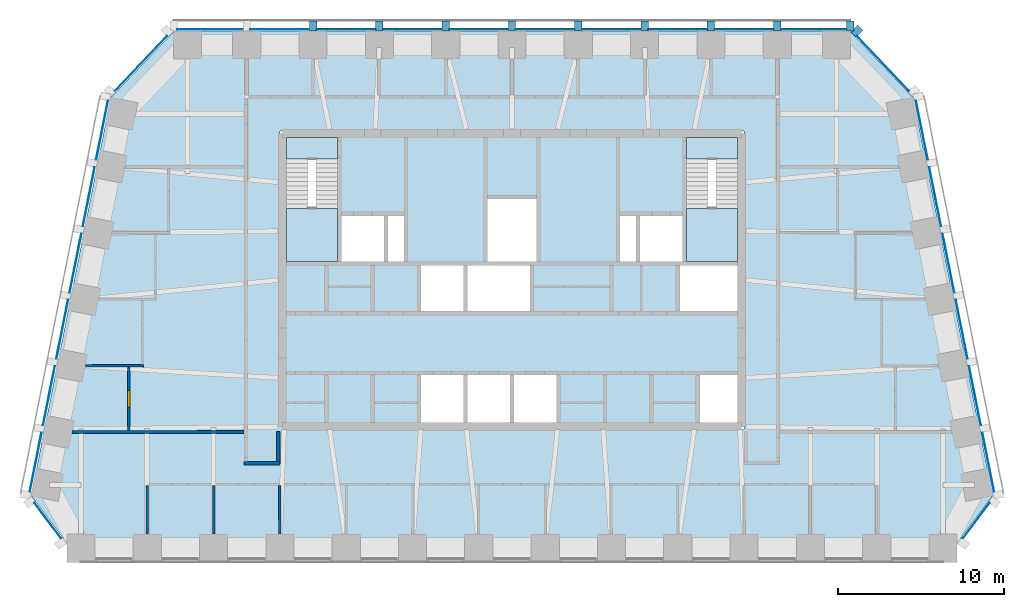
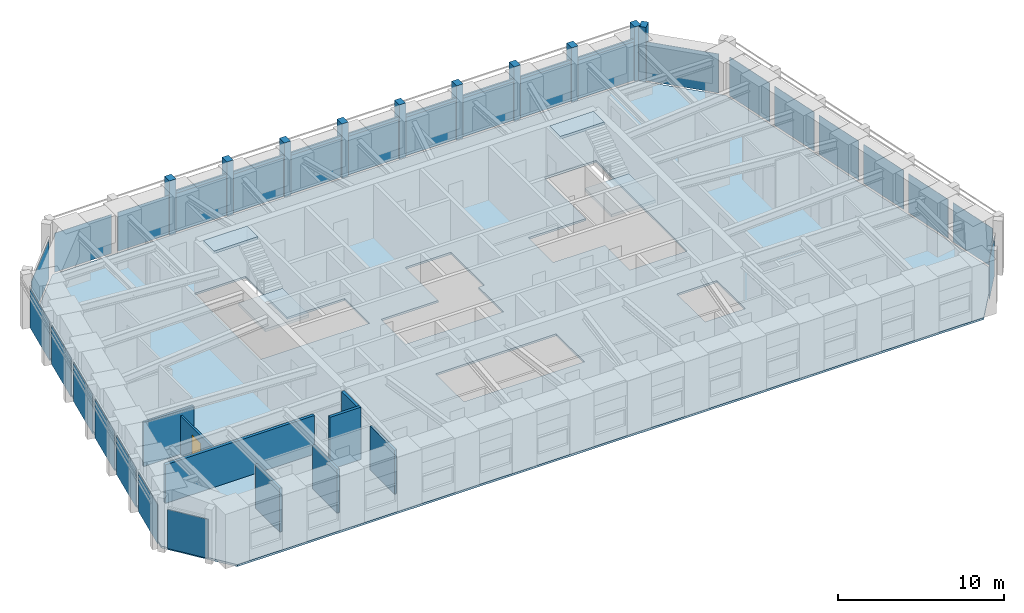
# One storey, part 3 of 10: 26 plates, 18 members, 8 walls, 5 slabs, 1 door, 1 opening, 9 elements without a shape of their own.
"""IFC4 building model written with IfcOpenShell, lengths in metres."""

from ifc_helpers import new_model, si_unit, direction, frame, frame_2d, origin, origin_2d, place, context, subcontext, project, spatial, polyline, rectangle, outline, extrude, material, layer, layer_set, material_profile, profile_set, type_object, element, fill, aggregate, save


model = new_model("IFC4")

# Units and contexts
model_context = context("Model", 3, precision=1e-05, world=origin(), true_north=direction((0.0, 1.0)))
body_context = subcontext(model_context, "Body", "Model", "MODEL_VIEW")
ifc_project = project(units=[si_unit("LENGTHUNIT", "METRE"), si_unit("AREAUNIT", "SQUARE_METRE"), si_unit("VOLUMEUNIT", "CUBIC_METRE"), si_unit("PLANEANGLEUNIT", "RADIAN"), si_unit("MASSUNIT", "GRAM", prefix="KILO")], contexts=[model_context])

# Site, building, storey
site_placement = place(None, origin())
site = spatial("IfcSite", under=ifc_project, at=site_placement, CompositionType="ELEMENT")
building_placement = place(site_placement, origin())
building = spatial("IfcBuilding", under=site, at=building_placement, Name="Isbrekke Arena Tower", CompositionType="ELEMENT")
storey_placement = place(building_placement, frame((0.0, 0.0, 300.0)))
storey = spatial("IfcBuildingStorey", under=building, at=storey_placement, Name="L70", CompositionType="ELEMENT", Elevation=300.0)

# Curtain wall, member
ifc_material_1 = material(Name="Glazed aluminium curtain wall", Category="aluminium")
curtain_wall_type = type_object("IfcCurtainWallType", Name="CWT TOWER CURTAIN WALL TOP ZONE", PredefinedType="USERDEFINED", material=ifc_material_1)
curtain_wall_1_placement = place(storey_placement, origin())
curtain_wall_1 = element("IfcCurtainWall", 1, at=curtain_wall_1_placement, inside=storey, type_object=curtain_wall_type, Name="CWT curtain wall L70-EN", ObjectType="TOWER CURTAIN WALL TOP ZONE", PredefinedType="USERDEFINED")
ifc_material_2 = material(Name="Copper-clad aluminium mullion", Category="aluminium")
ifc_material_profile_1 = material_profile(ifc_material_2, rectangle(XDim=0.449951171875, YDim=0.60009765625, at=origin_2d()), Name="PIER 450X600")
ifc_profile_set_1 = profile_set([ifc_material_profile_1], Name="Copper-clad aluminium mullion")
member_type_1 = type_object("IfcMemberType", Name="CWT-M PIER MULLION 450 x 600", PredefinedType="MULLION", material=ifc_profile_set_1)
member_1_placement = place(storey_placement, frame((20.795166015625, 30.019775390625, 0.0), z_axis=(0.0, 0.0, 1.0), x_axis=(-0.68874946192, 0.72499943359, 0.0)))
member_1 = element("IfcMember", 2, at=member_1_placement, type_object=member_type_1, Name="CWT-M mullion 2", PredefinedType="MULLION", context=body_context, shape_type="SweptSolid", body=[
    extrude(rectangle(XDim=0.449951171875, YDim=0.60009765625, at=origin_2d()), origin(), (0.0, 0.0, 1.0), 4.0),
])

# Curtain wall, members
curtain_wall_2_placement = place(storey_placement, origin())
curtain_wall_2 = element("IfcCurtainWall", 3, at=curtain_wall_2_placement, inside=storey, type_object=curtain_wall_type, Name="CWT curtain wall L70-N", ObjectType="TOWER CURTAIN WALL TOP ZONE", PredefinedType="USERDEFINED")
member_2_placement = place(storey_placement, frame((20.39990234375, 30.324951171875, 0.0), z_axis=(0.0, 0.0, 1.0), x_axis=(-1.0, 0.0, 0.0)))
member_2 = element("IfcMember", 4, at=member_2_placement, type_object=member_type_1, Name="CWT-M mullion 1", PredefinedType="MULLION", context=body_context, shape_type="SweptSolid", body=[
    extrude(rectangle(XDim=0.449951171875, YDim=0.60009765625, at=origin_2d()), origin(), (0.0, 0.0, 1.0), 4.0),
])
member_3_placement = place(storey_placement, frame((16.0, 30.324951171875, 0.0), z_axis=(0.0, 0.0, 1.0), x_axis=(-1.0, 0.0, 0.0)))
member_3 = element("IfcMember", 5, at=member_3_placement, type_object=member_type_1, Name="CWT-M mullion 2", PredefinedType="MULLION", context=body_context, shape_type="SweptSolid", body=[
    extrude(rectangle(XDim=0.449951171875, YDim=0.60009765625, at=origin_2d()), origin(), (0.0, 0.0, 1.0), 4.0),
])
member_4_placement = place(storey_placement, frame((12.0, 30.324951171875, 0.0), z_axis=(0.0, 0.0, 1.0), x_axis=(-1.0, 0.0, 0.0)))
member_4 = element("IfcMember", 6, at=member_4_placement, type_object=member_type_1, Name="CWT-M mullion 3", PredefinedType="MULLION", context=body_context, shape_type="SweptSolid", body=[
    extrude(rectangle(XDim=0.449951171875, YDim=0.60009765625, at=origin_2d()), origin(), (0.0, 0.0, 1.0), 4.0),
])
member_5_placement = place(storey_placement, frame((8.0, 30.324951171875, 0.0), z_axis=(0.0, 0.0, 1.0), x_axis=(-1.0, 0.0, 0.0)))
member_5 = element("IfcMember", 7, at=member_5_placement, type_object=member_type_1, Name="CWT-M mullion 4", PredefinedType="MULLION", context=body_context, shape_type="SweptSolid", body=[
    extrude(rectangle(XDim=0.449951171875, YDim=0.60009765625, at=origin_2d()), origin(), (0.0, 0.0, 1.0), 4.0),
])
member_6_placement = place(storey_placement, frame((4.0, 30.324951171875, 0.0), z_axis=(0.0, 0.0, 1.0), x_axis=(-1.0, 0.0, 0.0)))
member_6 = element("IfcMember", 8, at=member_6_placement, type_object=member_type_1, Name="CWT-M mullion 5", PredefinedType="MULLION", context=body_context, shape_type="SweptSolid", body=[
    extrude(rectangle(XDim=0.449951171875, YDim=0.60009765625, at=origin_2d()), origin(), (0.0, 0.0, 1.0), 4.0),
])
member_7_placement = place(storey_placement, frame((0.0, 30.324951171875, 0.0), z_axis=(0.0, 0.0, 1.0), x_axis=(-1.0, 0.0, 0.0)))
member_7 = element("IfcMember", 9, at=member_7_placement, type_object=member_type_1, Name="CWT-M mullion 6", PredefinedType="MULLION", context=body_context, shape_type="SweptSolid", body=[
    extrude(rectangle(XDim=0.449951171875, YDim=0.60009765625, at=origin_2d()), origin(), (0.0, 0.0, 1.0), 4.0),
])
member_8_placement = place(storey_placement, frame((-4.0, 30.324951171875, 0.0), z_axis=(0.0, 0.0, 1.0), x_axis=(-1.0, 0.0, 0.0)))
member_8 = element("IfcMember", 10, at=member_8_placement, type_object=member_type_1, Name="CWT-M mullion 7", PredefinedType="MULLION", context=body_context, shape_type="SweptSolid", body=[
    extrude(rectangle(XDim=0.449951171875, YDim=0.60009765625, at=origin_2d()), origin(), (0.0, 0.0, 1.0), 4.0),
])
member_9_placement = place(storey_placement, frame((-8.0, 30.324951171875, 0.0), z_axis=(0.0, 0.0, 1.0), x_axis=(-1.0, 0.0, 0.0)))
member_9 = element("IfcMember", 11, at=member_9_placement, type_object=member_type_1, Name="CWT-M mullion 8", PredefinedType="MULLION", context=body_context, shape_type="SweptSolid", body=[
    extrude(rectangle(XDim=0.449951171875, YDim=0.60009765625, at=origin_2d()), origin(), (0.0, 0.0, 1.0), 4.0),
])
member_10_placement = place(storey_placement, frame((-12.0, 30.324951171875, 0.0), z_axis=(0.0, 0.0, 1.0), x_axis=(-1.0, 0.0, 0.0)))
member_10 = element("IfcMember", 12, at=member_10_placement, type_object=member_type_1, Name="CWT-M mullion 9", PredefinedType="MULLION", context=body_context, shape_type="SweptSolid", body=[
    extrude(rectangle(XDim=0.449951171875, YDim=0.60009765625, at=origin_2d()), origin(), (0.0, 0.0, 1.0), 4.0),
])
ifc_material_3 = material(Name="Aluminium transom", Category="aluminium")
ifc_material_profile_2 = material_profile(ifc_material_3, rectangle(XDim=0.1201171875, YDim=0.199951171875, at=origin_2d()), Name="TRANSOM 120X200")
ifc_profile_set_2 = profile_set([ifc_material_profile_2], Name="Aluminium transom")
member_type_2 = type_object("IfcMemberType", Name="CWT-T TRANSOM 120 x 200", PredefinedType="USERDEFINED", material=ifc_profile_set_2)
member_11_placement = place(storey_placement, frame((20.175048828125, 30.125, 3.0), z_axis=(-1.0, 0.0, 0.0), x_axis=(0.0, -1.0, 0.0)))
member_11 = element("IfcMember", 13, at=member_11_placement, type_object=member_type_2, Name="CWT-T transom 1", ObjectType="TRANSOM", PredefinedType="USERDEFINED", context=body_context, shape_type="SweptSolid", body=[
    extrude(rectangle(XDim=0.1201171875, YDim=0.199951171875, at=origin_2d()), origin(), (0.0, 0.0, 1.0), 3.949951171875),
])
member_12_placement = place(storey_placement, frame((15.77490234375, 30.125, 3.0), z_axis=(-1.0, 0.0, 0.0), x_axis=(0.0, -1.0, 0.0)))
member_12 = element("IfcMember", 14, at=member_12_placement, type_object=member_type_2, Name="CWT-T transom 2", ObjectType="TRANSOM", PredefinedType="USERDEFINED", context=body_context, shape_type="SweptSolid", body=[
    extrude(rectangle(XDim=0.1201171875, YDim=0.199951171875, at=origin_2d()), origin(), (0.0, 0.0, 1.0), 3.5498046875),
])
member_13_placement = place(storey_placement, frame((11.77490234375, 30.125, 3.0), z_axis=(-1.0, 0.0, 0.0), x_axis=(0.0, -1.0, 0.0)))
member_13 = element("IfcMember", 15, at=member_13_placement, type_object=member_type_2, Name="CWT-T transom 3", ObjectType="TRANSOM", PredefinedType="USERDEFINED", context=body_context, shape_type="SweptSolid", body=[
    extrude(rectangle(XDim=0.1201171875, YDim=0.199951171875, at=origin_2d()), origin(), (0.0, 0.0, 1.0), 3.5498046875),
])
member_14_placement = place(storey_placement, frame((7.77490234375, 30.125, 3.0), z_axis=(-1.0, 0.0, 0.0), x_axis=(0.0, -1.0, 0.0)))
member_14 = element("IfcMember", 16, at=member_14_placement, type_object=member_type_2, Name="CWT-T transom 4", ObjectType="TRANSOM", PredefinedType="USERDEFINED", context=body_context, shape_type="SweptSolid", body=[
    extrude(rectangle(XDim=0.1201171875, YDim=0.199951171875, at=origin_2d()), origin(), (0.0, 0.0, 1.0), 3.5498046875),
])
member_15_placement = place(storey_placement, frame((3.77490234375, 30.125, 3.0), z_axis=(-1.0, 0.0, 0.0), x_axis=(0.0, -1.0, 0.0)))
member_15 = element("IfcMember", 17, at=member_15_placement, type_object=member_type_2, Name="CWT-T transom 5", ObjectType="TRANSOM", PredefinedType="USERDEFINED", context=body_context, shape_type="SweptSolid", body=[
    extrude(rectangle(XDim=0.1201171875, YDim=0.199951171875, at=origin_2d()), origin(), (0.0, 0.0, 1.0), 3.5498046875),
])
member_16_placement = place(storey_placement, frame((-0.22509765625, 30.125, 3.0), z_axis=(-1.0, 0.0, 0.0), x_axis=(0.0, -1.0, 0.0)))
member_16 = element("IfcMember", 18, at=member_16_placement, type_object=member_type_2, Name="CWT-T transom 6", ObjectType="TRANSOM", PredefinedType="USERDEFINED", context=body_context, shape_type="SweptSolid", body=[
    extrude(rectangle(XDim=0.1201171875, YDim=0.199951171875, at=origin_2d()), origin(), (0.0, 0.0, 1.0), 3.5498046875),
])
member_17_placement = place(storey_placement, frame((-4.22509765625, 30.125, 3.0), z_axis=(-1.0, 0.0, 0.0), x_axis=(0.0, -1.0, 0.0)))
member_17 = element("IfcMember", 19, at=member_17_placement, type_object=member_type_2, Name="CWT-T transom 7", ObjectType="TRANSOM", PredefinedType="USERDEFINED", context=body_context, shape_type="SweptSolid", body=[
    extrude(rectangle(XDim=0.1201171875, YDim=0.199951171875, at=origin_2d()), origin(), (0.0, 0.0, 1.0), 3.5498046875),
])
member_18_placement = place(storey_placement, frame((-8.22509765625, 30.125, 3.0), z_axis=(-1.0, 0.0, 0.0), x_axis=(0.0, -1.0, 0.0)))
member_18 = element("IfcMember", 20, at=member_18_placement, type_object=member_type_2, Name="CWT-T transom 8", ObjectType="TRANSOM", PredefinedType="USERDEFINED", context=body_context, shape_type="SweptSolid", body=[
    extrude(rectangle(XDim=0.1201171875, YDim=0.199951171875, at=origin_2d()), origin(), (0.0, 0.0, 1.0), 3.5498046875),
])

# Curtain wall, plate
curtain_wall_3_placement = place(storey_placement, origin())
curtain_wall_3 = element("IfcCurtainWall", 21, at=curtain_wall_3_placement, inside=storey, type_object=curtain_wall_type, Name="CWT curtain wall L70-SE", ObjectType="TOWER CURTAIN WALL TOP ZONE", PredefinedType="USERDEFINED")
ifc_material_4 = material(Name="Triple-glazed clear glass unit", Category="glass")
ifc_layer_1 = layer(ifc_material_4, 0.031982421875)
ifc_layer_set_1 = layer_set([ifc_layer_1], Name="CWT-P VISION PANEL")
plate_type = type_object("IfcPlateType", Name="CWT-P VISION PANEL", PredefinedType="CURTAIN_PANEL", material=ifc_layer_set_1)
plate_1_placement = place(storey_placement, frame((27.993896484375, 0.49169921875, 0.02001953125), z_axis=(0.0, 0.0, 1.0), x_axis=(0.600000000002, 0.799999999998, 0.0)))
plate_1 = element("IfcPlate", 22, at=plate_1_placement, type_object=plate_type, Name="CWT-P panel 1", PredefinedType="CURTAIN_PANEL", context=body_context, shape_type="SweptSolid", body=[
    extrude(rectangle(XDim=2.65283203125, YDim=0.031982421875, at=origin_2d()), origin(), (0.0, 0.0, 1.0), 2.8798828125),
])
aggregate(curtain_wall_3, [plate_1])

# Curtain wall, plates
curtain_wall_4_placement = place(storey_placement, origin())
curtain_wall_4 = element("IfcCurtainWall", 23, at=curtain_wall_4_placement, inside=storey, type_object=curtain_wall_type, Name="CWT curtain wall L70-E", ObjectType="TOWER CURTAIN WALL TOP ZONE", PredefinedType="USERDEFINED")
plate_2_placement = place(storey_placement, frame((28.72265625, 4.0244140625, 0.02001953125), z_axis=(0.0, 0.0, 1.0), x_axis=(-0.196116135138, 0.980580675691, 0.0)))
plate_2 = element("IfcPlate", 24, at=plate_2_placement, type_object=plate_type, Name="CWT-P panel 1", PredefinedType="CURTAIN_PANEL", context=body_context, shape_type="SweptSolid", body=[
    extrude(rectangle(XDim=3.629150390625, YDim=0.031982421875, at=origin_2d()), origin(), (0.0, 0.0, 1.0), 2.8798828125),
])
plate_3_placement = place(storey_placement, frame((27.922607421875, 8.0244140625, 0.02001953125), z_axis=(0.0, 0.0, 1.0), x_axis=(-0.196116135138, 0.980580675691, 0.0)))
plate_3 = element("IfcPlate", 25, at=plate_3_placement, type_object=plate_type, Name="CWT-P panel 2", PredefinedType="CURTAIN_PANEL", context=body_context, shape_type="SweptSolid", body=[
    extrude(rectangle(XDim=3.629150390625, YDim=0.031982421875, at=origin_2d()), origin(), (0.0, 0.0, 1.0), 2.8798828125),
])
plate_4_placement = place(storey_placement, frame((27.12255859375, 12.0244140625, 0.02001953125), z_axis=(0.0, 0.0, 1.0), x_axis=(-0.196116135138, 0.980580675691, 0.0)))
plate_4 = element("IfcPlate", 26, at=plate_4_placement, type_object=plate_type, Name="CWT-P panel 3", PredefinedType="CURTAIN_PANEL", context=body_context, shape_type="SweptSolid", body=[
    extrude(rectangle(XDim=3.629150390625, YDim=0.031982421875, at=origin_2d()), origin(), (0.0, 0.0, 1.0), 2.8798828125),
])
plate_5_placement = place(storey_placement, frame((26.322509765625, 16.0244140625, 0.02001953125), z_axis=(0.0, 0.0, 1.0), x_axis=(-0.196116135138, 0.980580675691, 0.0)))
plate_5 = element("IfcPlate", 27, at=plate_5_placement, type_object=plate_type, Name="CWT-P panel 4", PredefinedType="CURTAIN_PANEL", context=body_context, shape_type="SweptSolid", body=[
    extrude(rectangle(XDim=3.629150390625, YDim=0.031982421875, at=origin_2d()), origin(), (0.0, 0.0, 1.0), 2.8798828125),
])
plate_6_placement = place(storey_placement, frame((25.5224609375, 20.0244140625, 0.02001953125), z_axis=(0.0, 0.0, 1.0), x_axis=(-0.196116135138, 0.980580675691, 0.0)))
plate_6 = element("IfcPlate", 28, at=plate_6_placement, type_object=plate_type, Name="CWT-P panel 5", PredefinedType="CURTAIN_PANEL", context=body_context, shape_type="SweptSolid", body=[
    extrude(rectangle(XDim=3.629150390625, YDim=0.031982421875, at=origin_2d()), origin(), (0.0, 0.0, 1.0), 2.8798828125),
])
plate_7_placement = place(storey_placement, frame((24.72265625, 24.0244140625, 0.02001953125), z_axis=(0.0, 0.0, 1.0), x_axis=(-0.196116135138, 0.980580675691, 0.0)))
plate_7 = element("IfcPlate", 29, at=plate_7_placement, type_object=plate_type, Name="CWT-P panel 6", PredefinedType="CURTAIN_PANEL", context=body_context, shape_type="SweptSolid", body=[
    extrude(rectangle(XDim=3.629150390625, YDim=0.031982421875, at=origin_2d()), origin(), (0.0, 0.0, 1.0), 2.8798828125),
])
aggregate(curtain_wall_4, [plate_2, plate_3, plate_4, plate_5, plate_6, plate_7])

# Plate
plate_8_placement = place(storey_placement, frame((22.374755859375, 28.06640625, 0.02001953125), z_axis=(0.0, 0.0, 1.0), x_axis=(-0.68874946192, 0.72499943359, 0.0)))
plate_8 = element("IfcPlate", 30, at=plate_8_placement, type_object=plate_type, Name="CWT-P panel 1", PredefinedType="CURTAIN_PANEL", context=body_context, shape_type="SweptSolid", body=[
    extrude(rectangle(XDim=4.558349609375, YDim=0.031982421875, at=origin_2d()), origin(), (0.0, 0.0, 1.0), 2.8798828125),
])

aggregate(curtain_wall_1, [member_1, plate_8])

plate_9_placement = place(storey_placement, frame((18.199951171875, 30.125, 0.02001953125), z_axis=(0.0, 0.0, 1.0), x_axis=(-1.0, 0.0, 0.0)))
plate_9 = element("IfcPlate", 31, at=plate_9_placement, type_object=plate_type, Name="CWT-P panel 1", PredefinedType="CURTAIN_PANEL", context=body_context, shape_type="SweptSolid", body=[
    extrude(rectangle(XDim=3.949951171875, YDim=0.031982421875, at=origin_2d()), origin(), (0.0, 0.0, 1.0), 2.8798828125),
])

plate_10_placement = place(storey_placement, frame((14.0, 30.125, 0.02001953125), z_axis=(0.0, 0.0, 1.0), x_axis=(-1.0, 0.0, 0.0)))
plate_10 = element("IfcPlate", 32, at=plate_10_placement, type_object=plate_type, Name="CWT-P panel 2", PredefinedType="CURTAIN_PANEL", context=body_context, shape_type="SweptSolid", body=[
    extrude(rectangle(XDim=3.550048828125, YDim=0.031982421875, at=origin_2d()), origin(), (0.0, 0.0, 1.0), 2.8798828125),
])

plate_11_placement = place(storey_placement, frame((10.0, 30.125, 0.02001953125), z_axis=(0.0, 0.0, 1.0), x_axis=(-1.0, 0.0, 0.0)))
plate_11 = element("IfcPlate", 33, at=plate_11_placement, type_object=plate_type, Name="CWT-P panel 3", PredefinedType="CURTAIN_PANEL", context=body_context, shape_type="SweptSolid", body=[
    extrude(rectangle(XDim=3.550048828125, YDim=0.031982421875, at=origin_2d()), origin(), (0.0, 0.0, 1.0), 2.8798828125),
])

plate_12_placement = place(storey_placement, frame((6.0, 30.125, 0.02001953125), z_axis=(0.0, 0.0, 1.0), x_axis=(-1.0, 0.0, 0.0)))
plate_12 = element("IfcPlate", 34, at=plate_12_placement, type_object=plate_type, Name="CWT-P panel 4", PredefinedType="CURTAIN_PANEL", context=body_context, shape_type="SweptSolid", body=[
    extrude(rectangle(XDim=3.550048828125, YDim=0.031982421875, at=origin_2d()), origin(), (0.0, 0.0, 1.0), 2.8798828125),
])

plate_13_placement = place(storey_placement, frame((2.0, 30.125, 0.02001953125), z_axis=(0.0, 0.0, 1.0), x_axis=(-1.0, 0.0, 0.0)))
plate_13 = element("IfcPlate", 35, at=plate_13_placement, type_object=plate_type, Name="CWT-P panel 5", PredefinedType="CURTAIN_PANEL", context=body_context, shape_type="SweptSolid", body=[
    extrude(rectangle(XDim=3.550048828125, YDim=0.031982421875, at=origin_2d()), origin(), (0.0, 0.0, 1.0), 2.8798828125),
])

plate_14_placement = place(storey_placement, frame((-2.0, 30.125, 0.02001953125), z_axis=(0.0, 0.0, 1.0), x_axis=(-1.0, 0.0, 0.0)))
plate_14 = element("IfcPlate", 36, at=plate_14_placement, type_object=plate_type, Name="CWT-P panel 6", PredefinedType="CURTAIN_PANEL", context=body_context, shape_type="SweptSolid", body=[
    extrude(rectangle(XDim=3.550048828125, YDim=0.031982421875, at=origin_2d()), origin(), (0.0, 0.0, 1.0), 2.8798828125),
])

plate_15_placement = place(storey_placement, frame((-6.0, 30.125, 0.02001953125), z_axis=(0.0, 0.0, 1.0), x_axis=(-1.0, 0.0, 0.0)))
plate_15 = element("IfcPlate", 37, at=plate_15_placement, type_object=plate_type, Name="CWT-P panel 7", PredefinedType="CURTAIN_PANEL", context=body_context, shape_type="SweptSolid", body=[
    extrude(rectangle(XDim=3.550048828125, YDim=0.031982421875, at=origin_2d()), origin(), (0.0, 0.0, 1.0), 2.8798828125),
])

plate_16_placement = place(storey_placement, frame((-10.0, 30.125, 0.02001953125), z_axis=(0.0, 0.0, 1.0), x_axis=(-1.0, 0.0, 0.0)))
plate_16 = element("IfcPlate", 38, at=plate_16_placement, type_object=plate_type, Name="CWT-P panel 8", PredefinedType="CURTAIN_PANEL", context=body_context, shape_type="SweptSolid", body=[
    extrude(rectangle(XDim=3.550048828125, YDim=0.031982421875, at=origin_2d()), origin(), (0.0, 0.0, 1.0), 2.8798828125),
])

plate_17_placement = place(storey_placement, frame((-14.0, 30.125, 0.02001953125), z_axis=(0.0, 0.0, 1.0), x_axis=(-1.0, 0.0, 0.0)))
plate_17 = element("IfcPlate", 39, at=plate_17_placement, type_object=plate_type, Name="CWT-P panel 9", PredefinedType="CURTAIN_PANEL", context=body_context, shape_type="SweptSolid", body=[
    extrude(rectangle(XDim=3.550048828125, YDim=0.031982421875, at=origin_2d()), origin(), (0.0, 0.0, 1.0), 2.8798828125),
])

plate_18_placement = place(storey_placement, frame((-18.199951171875, 30.125, 0.02001953125), z_axis=(0.0, 0.0, 1.0), x_axis=(-1.0, 0.0, 0.0)))
plate_18 = element("IfcPlate", 40, at=plate_18_placement, type_object=plate_type, Name="CWT-P panel 10", PredefinedType="CURTAIN_PANEL", context=body_context, shape_type="SweptSolid", body=[
    extrude(rectangle(XDim=3.949951171875, YDim=0.031982421875, at=origin_2d()), origin(), (0.0, 0.0, 1.0), 2.8798828125),
])

aggregate(curtain_wall_2, [member_2, member_3, member_4, member_5, member_6, member_7, member_8, member_9, member_10, member_11, plate_9, member_12, plate_10, member_13, plate_11, member_14, plate_12, member_15, plate_13, member_16, plate_14, member_17, plate_15, member_18, plate_16, plate_17, plate_18])

# Curtain wall, plate
curtain_wall_5_placement = place(storey_placement, origin())
curtain_wall_5 = element("IfcCurtainWall", 41, at=curtain_wall_5_placement, inside=storey, type_object=curtain_wall_type, Name="CWT curtain wall L70-NW", ObjectType="TOWER CURTAIN WALL TOP ZONE", PredefinedType="USERDEFINED")
plate_19_placement = place(storey_placement, frame((-22.37451171875, 28.066650390625, 0.02001953125), z_axis=(0.0, 0.0, 1.0), x_axis=(-0.68874946192, -0.72499943359, 0.0)))
plate_19 = element("IfcPlate", 42, at=plate_19_placement, type_object=plate_type, Name="CWT-P panel 1", PredefinedType="CURTAIN_PANEL", context=body_context, shape_type="SweptSolid", body=[
    extrude(rectangle(XDim=4.557373046875, YDim=0.031982421875, at=origin_2d()), origin(), (0.0, 0.0, 1.0), 2.8798828125),
])
aggregate(curtain_wall_5, [plate_19])

# Curtain wall, plates
curtain_wall_6_placement = place(storey_placement, origin())
curtain_wall_6 = element("IfcCurtainWall", 43, at=curtain_wall_6_placement, inside=storey, type_object=curtain_wall_type, Name="CWT curtain wall L70-W", ObjectType="TOWER CURTAIN WALL TOP ZONE", PredefinedType="USERDEFINED")
plate_20_placement = place(storey_placement, frame((-24.72265625, 24.0244140625, 0.02001953125), z_axis=(0.0, 0.0, 1.0), x_axis=(-0.196116135138, -0.980580675691, 0.0)))
plate_20 = element("IfcPlate", 44, at=plate_20_placement, type_object=plate_type, Name="CWT-P panel 1", PredefinedType="CURTAIN_PANEL", context=body_context, shape_type="SweptSolid", body=[
    extrude(rectangle(XDim=3.629150390625, YDim=0.031982421875, at=origin_2d()), origin(), (0.0, 0.0, 1.0), 2.8798828125),
])
plate_21_placement = place(storey_placement, frame((-25.5224609375, 20.0244140625, 0.02001953125), z_axis=(0.0, 0.0, 1.0), x_axis=(-0.196116135138, -0.980580675691, 0.0)))
plate_21 = element("IfcPlate", 45, at=plate_21_placement, type_object=plate_type, Name="CWT-P panel 2", PredefinedType="CURTAIN_PANEL", context=body_context, shape_type="SweptSolid", body=[
    extrude(rectangle(XDim=3.629150390625, YDim=0.031982421875, at=origin_2d()), origin(), (0.0, 0.0, 1.0), 2.8798828125),
])
plate_22_placement = place(storey_placement, frame((-26.322509765625, 16.0244140625, 0.02001953125), z_axis=(0.0, 0.0, 1.0), x_axis=(-0.196116135138, -0.980580675691, 0.0)))
plate_22 = element("IfcPlate", 46, at=plate_22_placement, type_object=plate_type, Name="CWT-P panel 3", PredefinedType="CURTAIN_PANEL", context=body_context, shape_type="SweptSolid", body=[
    extrude(rectangle(XDim=3.629150390625, YDim=0.031982421875, at=origin_2d()), origin(), (0.0, 0.0, 1.0), 2.8798828125),
])
plate_23_placement = place(storey_placement, frame((-27.12255859375, 12.0244140625, 0.02001953125), z_axis=(0.0, 0.0, 1.0), x_axis=(-0.196116135138, -0.980580675691, 0.0)))
plate_23 = element("IfcPlate", 47, at=plate_23_placement, type_object=plate_type, Name="CWT-P panel 4", PredefinedType="CURTAIN_PANEL", context=body_context, shape_type="SweptSolid", body=[
    extrude(rectangle(XDim=3.629150390625, YDim=0.031982421875, at=origin_2d()), origin(), (0.0, 0.0, 1.0), 2.8798828125),
])
plate_24_placement = place(storey_placement, frame((-27.922607421875, 8.0244140625, 0.02001953125), z_axis=(0.0, 0.0, 1.0), x_axis=(-0.196116135138, -0.980580675691, 0.0)))
plate_24 = element("IfcPlate", 48, at=plate_24_placement, type_object=plate_type, Name="CWT-P panel 5", PredefinedType="CURTAIN_PANEL", context=body_context, shape_type="SweptSolid", body=[
    extrude(rectangle(XDim=3.629150390625, YDim=0.031982421875, at=origin_2d()), origin(), (0.0, 0.0, 1.0), 2.8798828125),
])
plate_25_placement = place(storey_placement, frame((-28.72265625, 4.0244140625, 0.02001953125), z_axis=(0.0, 0.0, 1.0), x_axis=(-0.196116135138, -0.980580675691, 0.0)))
plate_25 = element("IfcPlate", 49, at=plate_25_placement, type_object=plate_type, Name="CWT-P panel 6", PredefinedType="CURTAIN_PANEL", context=body_context, shape_type="SweptSolid", body=[
    extrude(rectangle(XDim=3.629150390625, YDim=0.031982421875, at=origin_2d()), origin(), (0.0, 0.0, 1.0), 2.8798828125),
])
aggregate(curtain_wall_6, [plate_20, plate_21, plate_22, plate_23, plate_24, plate_25])

# Curtain wall, plate
curtain_wall_7_placement = place(storey_placement, origin())
curtain_wall_7 = element("IfcCurtainWall", 50, at=curtain_wall_7_placement, inside=storey, type_object=curtain_wall_type, Name="CWT curtain wall L70-WS", ObjectType="TOWER CURTAIN WALL TOP ZONE", PredefinedType="USERDEFINED")
plate_26_placement = place(storey_placement, frame((-27.993408203125, 0.4912109375, 0.02001953125), z_axis=(0.0, 0.0, 1.0), x_axis=(0.600000000002, -0.799999999998, 0.0)))
plate_26 = element("IfcPlate", 51, at=plate_26_placement, type_object=plate_type, Name="CWT-P panel 1", PredefinedType="CURTAIN_PANEL", context=body_context, shape_type="SweptSolid", body=[
    extrude(rectangle(XDim=2.653564453125, YDim=0.031982421875, at=origin_2d()), origin(), (0.0, 0.0, 1.0), 2.8798828125),
])
aggregate(curtain_wall_7, [plate_26])

# Slab
ifc_material_5 = material(Name="Concrete B35 (C35/45)", Category="concrete")
ifc_layer_2 = layer(ifc_material_5, 0.14990234375)
ifc_layer_set_2 = layer_set([ifc_layer_2], Name="FS1 COMPOSITE FLOOR 150")
slab_type_1 = type_object("IfcSlabType", Name="FS1 COMPOSITE FLOOR 150", PredefinedType="FLOOR", material=ifc_layer_set_2)
slab_1_placement = place(storey_placement, frame((0.0, 0.0, -0.14990234375)))
element("IfcSlab", 52, at=slab_1_placement, inside=storey, type_object=slab_type_1, Name="FS1 floor slab L70", PredefinedType="FLOOR", context=body_context, shape_type="SweptSolid", body=[
    extrude(outline(polyline([(-26.0, -2.0), (26.0, -2.0), (29.0, 2.0), (24.199951171875, 26.0), (20.39990234375, 30.0), (-20.39990234375, 30.0), (-24.199951171875, 26.0), (-29.0, 2.0), (-26.0, -2.0)]), holes=[polyline([(2.800048828125, 9.39990234375), (2.800048828125, 6.0), (-5.60009765625, 6.0), (-5.60009765625, 9.39990234375), (2.800048828125, 9.39990234375)]), polyline([(11.199951171875, 6.0), (11.199951171875, 9.39990234375), (14.0, 9.39990234375), (14.0, 6.0), (11.199951171875, 6.0)]), polyline([(-5.60009765625, 13.0), (-5.60009765625, 16.0), (-1.60009765625, 16.0), (-1.60009765625, 20.0), (1.60009765625, 20.0), (1.60009765625, 16.0), (1.199951171875, 16.0), (1.199951171875, 13.0), (-5.60009765625, 13.0)]), polyline([(14.0, 13.0), (10.0, 13.0), (10.0, 16.0), (6.39990234375, 16.0), (6.39990234375, 19.0), (10.39990234375, 19.0), (10.39990234375, 24.0), (14.0, 24.0), (14.0, 13.0)]), polyline([(-6.39990234375, 19.0), (-6.39990234375, 16.0), (-14.0, 16.0), (-14.0, 24.0), (-10.39990234375, 24.0), (-10.39990234375, 19.0), (-6.39990234375, 19.0)])]), origin(), (0.0, 0.0, 1.0), 0.14990234375),
])

# Stair, slabs
ifc_material_6 = material(Name="Concrete B45 (C45/55) precast", Category="concrete")
stair_type = type_object("IfcStairType", Name="ST40 STAIR 1300 WIDE, 24 RISERS 167", PredefinedType="HALF_TURN_STAIR", material=ifc_material_6)
stair_1_placement = place(storey_placement, origin())
stair_1 = element("IfcStair", 53, at=stair_1_placement, inside=storey, type_object=stair_type, Name="ST1 stair L70", PredefinedType="HALF_TURN_STAIR")
ifc_material_7 = material(Name="Concrete B35 (C35/45)", Category="concrete")
ifc_layer_3 = layer(ifc_material_7, 0.199951171875)
ifc_layer_set_3 = layer_set([ifc_layer_3], Name="SL1 STAIR LANDING 200")
slab_type_2 = type_object("IfcSlabType", Name="SL1 STAIR LANDING 200", PredefinedType="LANDING", material=ifc_layer_set_3)
slab_2_placement = place(storey_placement, frame((0.0, 0.0, 1.800048828125)))
slab_2 = element("IfcSlab", 54, at=slab_2_placement, type_object=slab_type_2, Name="ST1 landing 1", PredefinedType="LANDING", context=body_context, shape_type="SweptSolid", body=[
    extrude(outline(polyline([(-13.60009765625, 16.125), (-10.52490234375, 16.125), (-10.52490234375, 19.330078125), (-13.60009765625, 19.330078125), (-13.60009765625, 16.125)])), origin(), (0.0, 0.0, 1.0), 0.199951171875),
])
slab_3_placement = place(storey_placement, frame((0.0, 0.0, 3.800048828125)))
slab_3 = element("IfcSlab", 55, at=slab_3_placement, type_object=slab_type_2, Name="ST1 landing 2", PredefinedType="LANDING", context=body_context, shape_type="SweptSolid", body=[
    extrude(outline(polyline([(-13.60009765625, 22.300048828125), (-10.52490234375, 22.300048828125), (-10.52490234375, 23.60009765625), (-13.60009765625, 23.60009765625), (-13.60009765625, 22.300048828125)])), origin(), (0.0, 0.0, 1.0), 0.199951171875),
])
aggregate(stair_1, [slab_2, slab_3])

stair_2_placement = place(storey_placement, origin())
stair_2 = element("IfcStair", 56, at=stair_2_placement, inside=storey, type_object=stair_type, Name="ST2 stair L70", PredefinedType="HALF_TURN_STAIR")
slab_4_placement = place(storey_placement, frame((0.0, 0.0, 1.800048828125)))
slab_4 = element("IfcSlab", 57, at=slab_4_placement, type_object=slab_type_2, Name="ST2 landing 1", PredefinedType="LANDING", context=body_context, shape_type="SweptSolid", body=[
    extrude(outline(polyline([(10.52490234375, 16.125), (13.60009765625, 16.125), (13.60009765625, 19.330078125), (10.52490234375, 19.330078125), (10.52490234375, 16.125)])), origin(), (0.0, 0.0, 1.0), 0.199951171875),
])
slab_5_placement = place(storey_placement, frame((0.0, 0.0, 3.800048828125)))
slab_5 = element("IfcSlab", 58, at=slab_5_placement, type_object=slab_type_2, Name="ST2 landing 2", PredefinedType="LANDING", context=body_context, shape_type="SweptSolid", body=[
    extrude(outline(polyline([(10.52490234375, 22.300048828125), (13.60009765625, 22.300048828125), (13.60009765625, 23.60009765625), (10.52490234375, 23.60009765625), (10.52490234375, 22.300048828125)])), origin(), (0.0, 0.0, 1.0), 0.199951171875),
])
aggregate(stair_2, [slab_4, slab_5])

# Wall
ifc_material_8 = material(Name="Gypsum board partition on steel studs", Category="steel")
ifc_layer_4 = layer(ifc_material_8, 0.14990234375)
ifc_layer_set_4 = layer_set([ifc_layer_4], Name="IW1 PARTITION 150")
wall_type_1 = type_object("IfcWallType", Name="IW1 PARTITION 150", PredefinedType="PARTITIONING", material=ifc_layer_set_4)
wall_1_placement = place(storey_placement, frame((-25.723876953125, 9.840087890625, 0.0), z_axis=(0.0, 0.0, 1.0), x_axis=(1.0, 0.0, 0.0)))
element("IfcWall", 59, at=wall_1_placement, inside=storey, type_object=wall_type_1, Name="IW1 partition 150 L70", PredefinedType="PARTITIONING", context=body_context, shape_type="SweptSolid", body=[
    extrude(rectangle(XDim=3.498779296875, YDim=0.14990234375, at=frame_2d((1.74951171875, 0.0))), origin(), (0.0, 0.0, 1.0), 3.22998046875),
])

# Wall, opening, door
wall_2_placement = place(storey_placement, frame((-23.10009765625, 5.93994140625, 0.0), z_axis=(0.0, 0.0, 1.0), x_axis=(0.0, 1.0, 0.0)))
wall_2 = element("IfcWall", 60, at=wall_2_placement, inside=storey, type_object=wall_type_1, Name="IW1 partition 150 L70", PredefinedType="PARTITIONING", context=body_context, shape_type="SweptSolid", body=[
    extrude(rectangle(XDim=3.824951171875, YDim=0.14990234375, at=frame_2d((1.91259765625, 0.0))), origin(), (0.0, 0.0, 1.0), 2.842041015625),
])
opening_placement = place(wall_2_placement, frame((1.39990234375, 0.0, 0.0)))
opening = element("IfcOpeningElement", 61, at=opening_placement, cuts=wall_2, Name="Opening D10", PredefinedType="OPENING", context=body_context, shape_type="SweptSolid", body=[
    extrude(rectangle(XDim=1.0, YDim=2.300048828125, at=frame_2d((0.5, 1.14990234375))), frame((0.0, 0.08984375, 0.0), z_axis=(0.0, -1.0, 0.0), x_axis=(1.0, 0.0, 0.0)), (0.0, 0.0, 1.0), 0.1796875),
])
ifc_material_9 = material(Name="Timber door", Category="wood")
door_type = type_object("IfcDoorType", Name="D10 OFFICE DOOR 1000 x 2300", OperationType="SINGLE_SWING_LEFT", PredefinedType="DOOR", material=ifc_material_9)
door_placement = place(opening_placement, origin())
door = element("IfcDoor", 62, at=door_placement, inside=storey, type_object=door_type, Name="D10 executive office door L70", OperationType="SINGLE_SWING_LEFT", OverallHeight=2.300048828125, OverallWidth=1.0, PredefinedType="DOOR", context=body_context, shape_type="SweptSolid", body=[
    extrude(rectangle(XDim=1.0, YDim=2.300048828125, at=frame_2d((0.5, 1.14990234375))), frame((0.0, 0.07470703125, 0.0), z_axis=(0.0, -1.0, 0.0), x_axis=(1.0, 0.0, 0.0)), (0.0, 0.0, 1.0), 0.1494140625),
])
fill(opening, door)

# Walls
for number, where, z_axis, x_axis, name in (
    (63, (-22.0, -0.324951171875, 0.0), (0.0, 0.0, 1.0), (0.0, 1.0, 0.0), "IW1 partition 150 L70"),
    (64, (-18.0, -0.324951171875, 0.0), (0.0, 0.0, 1.0), (0.0, 1.0, 0.0), "IW1 partition 150 L70"),
    (65, (-14.0, -0.324951171875, 0.0), (0.0, 0.0, 1.0), (0.0, 1.0, 0.0), "IW1 partition 150 L70"),
):
    element("IfcWall", number, at=place(storey_placement, frame(where, z_axis=z_axis, x_axis=x_axis)), inside=storey, type_object=wall_type_1, Name=name, PredefinedType="PARTITIONING", context=body_context, shape_type="SweptSolid", body=[
        extrude(rectangle(XDim=2.949951171875, YDim=0.14990234375, at=frame_2d((1.47509765625, 0.0))), origin(), (0.0, 0.0, 1.0), 3.22998046875),
    ])
ifc_material_10 = material(Name="Gypsum board fire-cell wall on steel studs, two layers each side", Category="steel")
ifc_layer_5 = layer(ifc_material_10, 0.199951171875)
ifc_layer_set_5 = layer_set([ifc_layer_5], Name="IW3 FIRE-CELL WALL 200")
wall_type_2 = type_object("IfcWallType", Name="IW3 FIRE-CELL WALL 200", PredefinedType="PARTITIONING", material=ifc_layer_set_5)
wall_3_placement = place(storey_placement, frame((-16.14990234375, 3.949951171875, 0.0), z_axis=(0.0, 0.0, 1.0), x_axis=(1.0, 0.0, 0.0)))
element("IfcWall", 66, at=wall_3_placement, inside=storey, type_object=wall_type_2, Name="IW3 fire-cell wall 200 L70", PredefinedType="PARTITIONING", context=body_context, shape_type="SweptSolid", body=[
    extrude(rectangle(XDim=2.14990234375, YDim=0.199951171875, at=frame_2d((1.074951171875, 0.0))), origin(), (0.0, 0.0, 1.0), 3.85009765625),
])
wall_4_placement = place(storey_placement, frame((-26.523681640625, 5.840087890625, 0.0), z_axis=(0.0, 0.0, 1.0), x_axis=(1.0, 0.0, 0.0)))
element("IfcWall", 67, at=wall_4_placement, inside=storey, type_object=wall_type_2, Name="IW3 fire-cell wall 200 L70", PredefinedType="PARTITIONING", context=body_context, shape_type="SweptSolid", body=[
    extrude(rectangle(XDim=10.373779296875, YDim=0.199951171875, at=frame_2d((5.18701171875, 0.0))), origin(), (0.0, 0.0, 1.0), 2.842041015625),
])
wall_5_placement = place(storey_placement, frame((-14.10009765625, 4.050048828125, 0.0), z_axis=(0.0, 0.0, 1.0), x_axis=(0.0, 1.0, 0.0)))
element("IfcWall", 68, at=wall_5_placement, inside=storey, type_object=wall_type_2, Name="IW3 fire-cell wall 200 L70", PredefinedType="PARTITIONING", context=body_context, shape_type="SweptSolid", body=[
    extrude(rectangle(XDim=1.820068359375, YDim=0.199951171875, at=frame_2d((0.91015625, 0.0))), origin(), (0.0, 0.0, 1.0), 3.85009765625),
])

save(model, "model.ifc")
